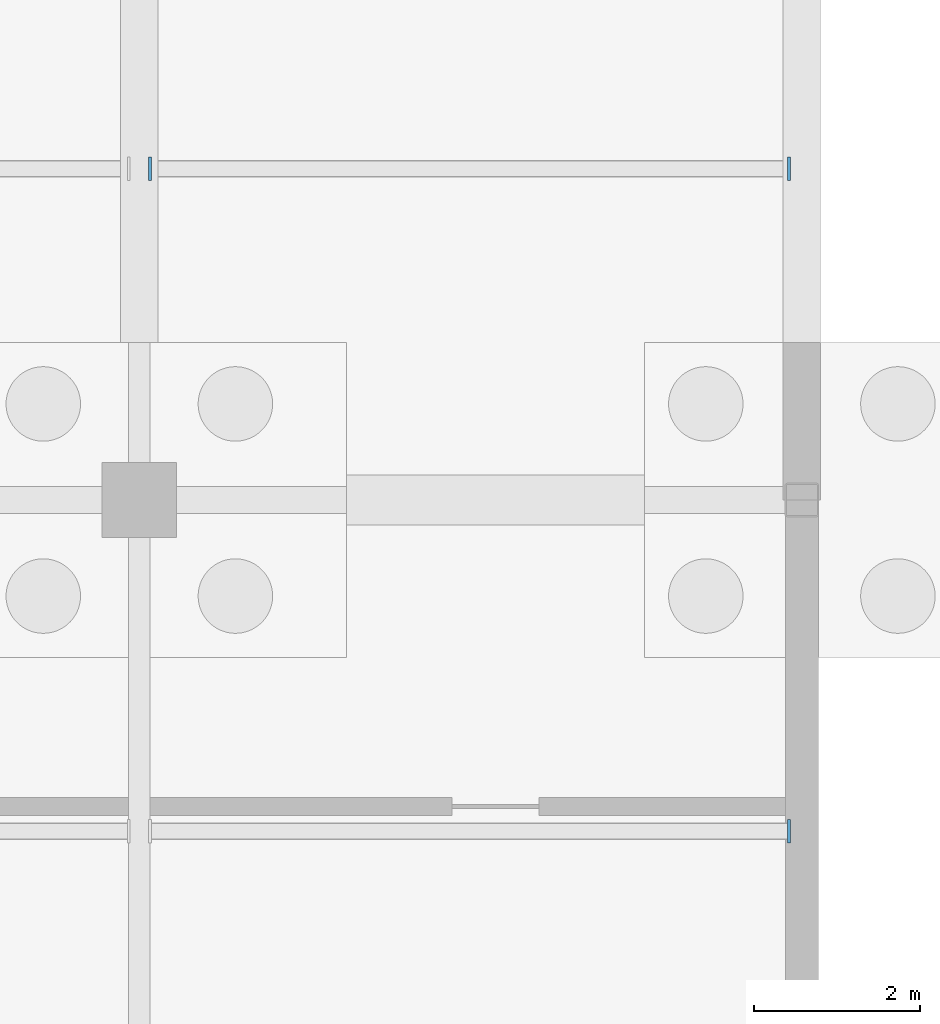
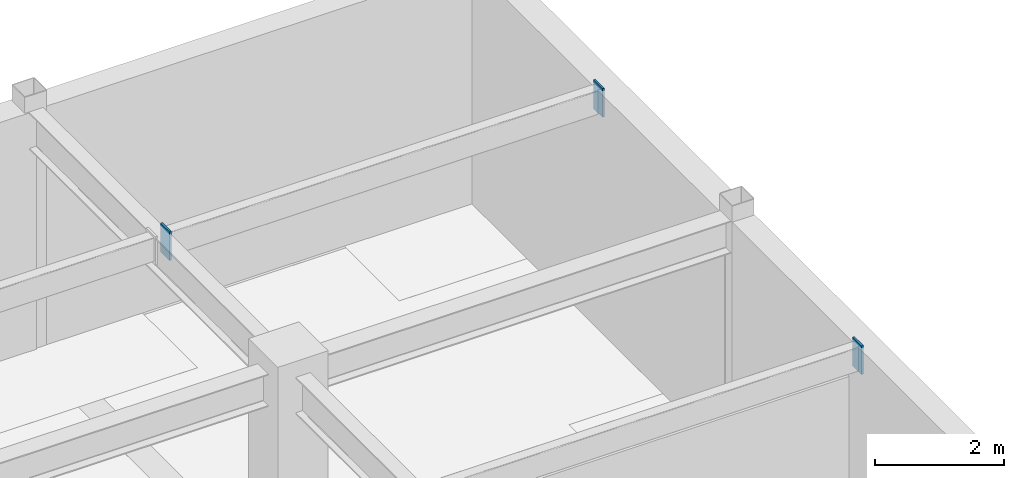
# One storey, part 97 of 105: 3 discrete accessories.
"""IFC4 building model written with IfcOpenShell, lengths in metres."""

from ifc_helpers import new_model, si_unit, direction, frame, origin, origin_2d, place, context, subcontext, project, spatial, rectangle, extrude, material, layer, layer_set, type_object, element, save


model = new_model("IFC4")

# Units and contexts
model_context = context("Model", 3, precision=1e-05, world=origin(), true_north=direction((0.0, 1.0)))
body_context = subcontext(model_context, "Body", "Model", "MODEL_VIEW")
ifc_project = project(units=[si_unit("LENGTHUNIT", "METRE"), si_unit("AREAUNIT", "SQUARE_METRE"), si_unit("VOLUMEUNIT", "CUBIC_METRE"), si_unit("PLANEANGLEUNIT", "RADIAN"), si_unit("MASSUNIT", "GRAM", prefix="KILO")], contexts=[model_context])

# Site, building, storey
site_placement = place(None, origin())
site = spatial("IfcSite", under=ifc_project, at=site_placement, CompositionType="ELEMENT")
building_placement = place(site_placement, origin())
building = spatial("IfcBuilding", under=site, at=building_placement, Name="Solmirada Galleria", CompositionType="ELEMENT")
storey_placement = place(building_placement, frame((0.0, 0.0, -4.800048828125)))
storey = spatial("IfcBuildingStorey", under=building, at=storey_placement, Name="B1", CompositionType="ELEMENT", Elevation=-4.800048828125)

# Discrete accessories
ifc_material = material(Name="Steel S355 / ASTM A572 Grade 50", Category="steel")
ifc_layer = layer(ifc_material, 0.031982421875)
ifc_layer_set = layer_set([ifc_layer], Name="Steel S355 / ASTM A572 Grade 50")
discrete_accessory_type = type_object("IfcDiscreteAccessoryType", Name="ACC-COL-CAP", PredefinedType="BRACKET", material=ifc_layer_set)
for number, where, z_axis, x_axis, name in (
    (1, (175.847412109375, 108.0, 4.00146484375), (0.0, 0.0, 1.0), (1.0, 0.0, 0.0), "Hollow joist end plate L00-22-14-R"),
    (2, (168.1279296875, 116.0, 4.00146484375), (0.0, 0.0, 1.0), (1.0, 0.0, 0.0), "Hollow joist end plate L00-22-15-L"),
    (3, (175.847412109375, 116.0, 4.00146484375), (0.0, 0.0, 1.0), (1.0, 0.0, 0.0), "Hollow joist end plate L00-22-15-R"),
):
    element("IfcDiscreteAccessory", number, at=place(storey_placement, frame(where, z_axis=z_axis, x_axis=x_axis)), inside=storey, type_object=discrete_accessory_type, Name=name, PredefinedType="BRACKET", context=body_context, shape_type="SweptSolid", body=[
        extrude(rectangle(XDim=0.035888671875, YDim=0.280029296875, at=origin_2d()), origin(), (0.0, 0.0, 1.0), 0.5400390625),
    ])

save(model, "model.ifc")
